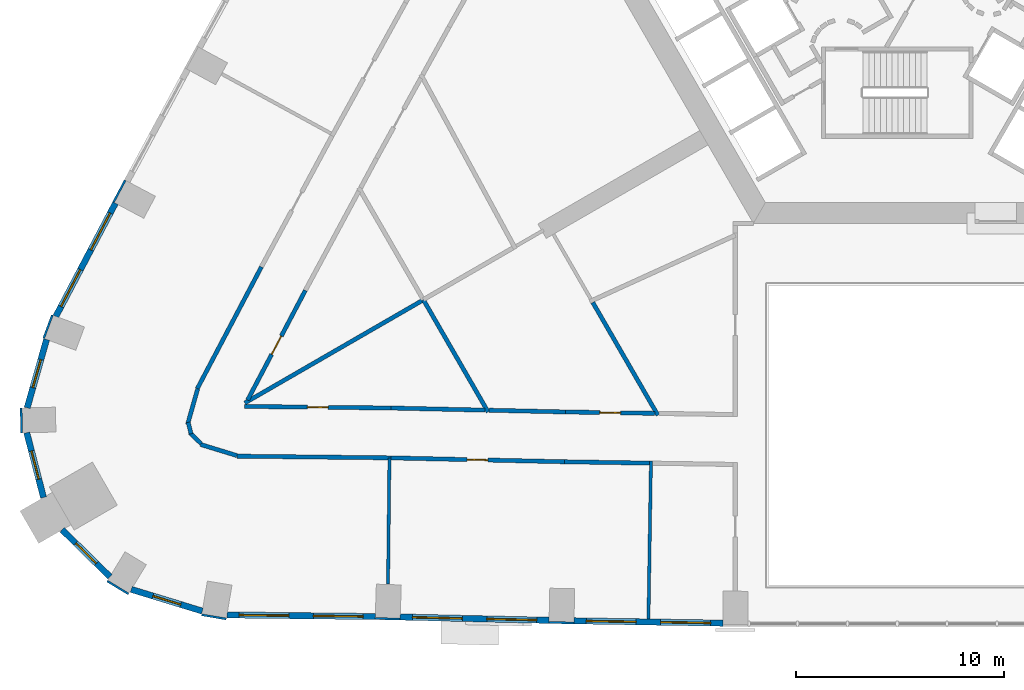
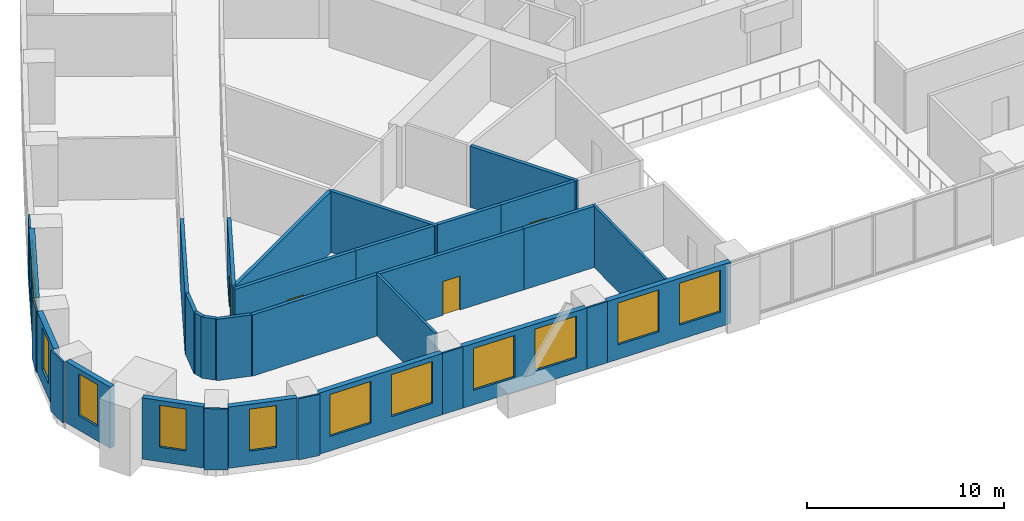
# One storey, part 4 of 13: 33 walls, 12 windows, 4 doors, 16 openings.
"""IFC4 building model written with IfcOpenShell, lengths in metres."""

from ifc_helpers import new_model, si_unit, direction, frame, frame_2d, origin, place, context, subcontext, project, spatial, rectangle, extrude, material, layer, layer_set, type_object, element, fill, save


model = new_model("IFC4")

# Units and contexts
model_context = context("Model", 3, precision=1e-05, world=origin(), true_north=direction((0.0, 1.0)))
body_context = subcontext(model_context, "Body", "Model", "MODEL_VIEW")
ifc_project = project(units=[si_unit("LENGTHUNIT", "METRE"), si_unit("AREAUNIT", "SQUARE_METRE"), si_unit("VOLUMEUNIT", "CUBIC_METRE"), si_unit("PLANEANGLEUNIT", "RADIAN"), si_unit("MASSUNIT", "GRAM", prefix="KILO")], contexts=[model_context])

# Site, building, storey
site_placement = place(None, origin())
site = spatial("IfcSite", under=ifc_project, at=site_placement, CompositionType="ELEMENT")
building_placement = place(site_placement, origin())
building = spatial("IfcBuilding", under=site, at=building_placement, Name="Entoto Arch Interchange Tower", CompositionType="ELEMENT")
storey_placement = place(building_placement, frame((0.0, 0.0, 51.800048828125)))
storey = spatial("IfcBuildingStorey", under=building, at=storey_placement, Name="L10", CompositionType="ELEMENT", Elevation=51.800048828125)

# Walls
ifc_material_1 = material(Name="Gypsum board partition on steel studs", Category="steel")
ifc_layer_1 = layer(ifc_material_1, 0.14990234375)
ifc_layer_set_1 = layer_set([ifc_layer_1], Name="Gypsum board partition on steel studs")
wall_type_1 = type_object("IfcWallType", Name="PARTITION 150", PredefinedType="PARTITIONING", material=ifc_layer_set_1)
wall_1_placement = place(storey_placement, frame((-24.452880859375, -20.7900390625, 0.0), z_axis=(0.0, 0.0, 1.0), x_axis=(-0.011204565898, -0.999937226881, 0.0)))
element("IfcWall", 1, at=wall_1_placement, inside=storey, type_object=wall_type_1, Name="wall:L10:p144", PredefinedType="PARTITIONING", context=body_context, shape_type="SweptSolid", body=[
    extrude(rectangle(XDim=6.079345703125, YDim=0.14990234375, at=frame_2d((3.03955078125, 0.0))), origin(), (0.0, 0.0, 1.0), 3.800048828125),
])
wall_2_placement = place(storey_placement, frame((-11.860107421875, -20.945068359375, 0.0), z_axis=(0.0, 0.0, 1.0), x_axis=(-0.015773137921, -0.999875596322, 0.0)))
element("IfcWall", 2, at=wall_2_placement, inside=storey, type_object=wall_type_1, Name="wall:L10:p145", PredefinedType="PARTITIONING", context=body_context, shape_type="SweptSolid", body=[
    extrude(rectangle(XDim=7.599853515625, YDim=0.14990234375, at=frame_2d((3.7998046875, 0.0))), origin(), (0.0, 0.0, 1.0), 3.800048828125),
])
ifc_layer_2 = layer(ifc_material_1, 0.199951171875)
ifc_layer_set_2 = layer_set([ifc_layer_2], Name="Gypsum board partition on steel studs")
wall_type_2 = type_object("IfcWallType", Name="PARTITION 200", PredefinedType="PARTITIONING", material=ifc_layer_set_2)
wall_3_placement = place(storey_placement, frame((-19.64892578125, -18.49609375, 0.0), z_axis=(0.0, 0.0, 1.0), x_axis=(0.999744980574, -0.02258259988, 0.0)))
element("IfcWall", 3, at=wall_3_placement, inside=storey, type_object=wall_type_2, Name="wall:L10:p031", PredefinedType="PARTITIONING", context=body_context, shape_type="SweptSolid", body=[
    extrude(rectangle(XDim=3.67578125, YDim=0.199951171875, at=frame_2d((1.837890625, 0.0))), origin(), (0.0, 0.0, 1.0), 3.800048828125),
])

# Wall, opening, door
wall_4_placement = place(storey_placement, frame((-15.97412109375, -18.5791015625, 0.0), z_axis=(0.0, 0.0, 1.0), x_axis=(0.999875289316, -0.015792587377, 0.0)))
wall_4 = element("IfcWall", 4, at=wall_4_placement, inside=storey, type_object=wall_type_2, Name="wall:L10:p032", PredefinedType="PARTITIONING", context=body_context, shape_type="SweptSolid", body=[
    extrude(rectangle(XDim=4.297607421875, YDim=0.199951171875, at=frame_2d((2.14892578125, 0.0))), origin(), (0.0, 0.0, 1.0), 3.800048828125),
])
opening_1_placement = place(wall_4_placement, frame((1.64892578125, 0.0, 0.0)))
opening_1 = element("IfcOpeningElement", 5, at=opening_1_placement, cuts=wall_4, Name="Opening L10-D24", PredefinedType="OPENING", context=body_context, shape_type="SweptSolid", body=[
    extrude(rectangle(XDim=1.0, YDim=2.10009765625, at=frame_2d((0.5, 1.050048828125))), frame((0.0, 0.10986328125, 0.0), z_axis=(0.0, -1.0, 0.0), x_axis=(1.0, 0.0, 0.0)), (0.0, 0.0, 1.0), 0.219970703125),
])
ifc_material_2 = material(Name="Timber door leaf in Steel S235 frame", Category="steel")
door_type = type_object("IfcDoorType", Name="DOOR DS-10 1000x2100", OperationType="SINGLE_SWING_LEFT", PredefinedType="DOOR", material=ifc_material_2)
door_1_placement = place(opening_1_placement, origin())
door_1 = element("IfcDoor", 6, at=door_1_placement, inside=storey, type_object=door_type, Name="door:L10:24", OperationType="SINGLE_SWING_LEFT", OverallHeight=2.10009765625, OverallWidth=1.0, PredefinedType="DOOR", context=body_context, shape_type="SweptSolid", body=[
    extrude(rectangle(XDim=1.0, YDim=2.10009765625, at=frame_2d((0.5, 1.050048828125))), frame((0.0, 0.02490234375, 0.0), z_axis=(0.0, -1.0, 0.0), x_axis=(1.0, 0.0, 0.0)), (0.0, 0.0, 1.0), 0.050048828125),
])
fill(opening_1, door_1)

wall_5_placement = place(storey_placement, frame((-28.5009765625, -12.72412109375, 0.0), z_axis=(0.0, 0.0, 1.0), x_axis=(-0.465933418625, -0.884819783576, 0.0)))
wall_5 = element("IfcWall", 7, at=wall_5_placement, inside=storey, type_object=wall_type_2, Name="wall:L10:p034", PredefinedType="PARTITIONING", context=body_context, shape_type="SweptSolid", body=[
    extrude(rectangle(XDim=5.972900390625, YDim=0.199951171875, at=frame_2d((2.986328125, 0.0))), origin(), (0.0, 0.0, 1.0), 3.800048828125),
])
opening_2_placement = place(wall_5_placement, frame((2.486083984375, 0.0, 0.0)))
opening_2 = element("IfcOpeningElement", 8, at=opening_2_placement, cuts=wall_5, Name="Opening L10-D25", PredefinedType="OPENING", context=body_context, shape_type="SweptSolid", body=[
    extrude(rectangle(XDim=1.0, YDim=2.10009765625, at=frame_2d((0.5, 1.050048828125))), frame((0.0, 0.10986328125, 0.0), z_axis=(0.0, -1.0, 0.0), x_axis=(1.0, 0.0, 0.0)), (0.0, 0.0, 1.0), 0.219970703125),
])
door_2_placement = place(opening_2_placement, origin())
door_2 = element("IfcDoor", 9, at=door_2_placement, inside=storey, type_object=door_type, Name="door:L10:25", OperationType="SINGLE_SWING_LEFT", OverallHeight=2.10009765625, OverallWidth=1.0, PredefinedType="DOOR", context=body_context, shape_type="SweptSolid", body=[
    extrude(rectangle(XDim=1.0, YDim=2.10009765625, at=frame_2d((0.5, 1.050048828125))), frame((0.0, 0.02490234375, 0.0), z_axis=(0.0, -1.0, 0.0), x_axis=(1.0, 0.0, 0.0)), (0.0, 0.0, 1.0), 0.050048828125),
])
fill(opening_2, door_2)

wall_6_placement = place(storey_placement, frame((-31.430908203125, -18.31201171875, 0.0), z_axis=(0.0, 0.0, 1.0), x_axis=(0.999939195602, -0.011027470214, 0.0)))
wall_6 = element("IfcWall", 10, at=wall_6_placement, inside=storey, type_object=wall_type_2, Name="wall:L10:p035", PredefinedType="PARTITIONING", context=body_context, shape_type="SweptSolid", body=[
    extrude(rectangle(XDim=7.0625, YDim=0.199951171875, at=frame_2d((3.53125, 0.0))), origin(), (0.0, 0.0, 1.0), 3.800048828125),
])
opening_3_placement = place(wall_6_placement, frame((3.031005859375, 0.0, 0.0)))
opening_3 = element("IfcOpeningElement", 11, at=opening_3_placement, cuts=wall_6, Name="Opening L10-D26", PredefinedType="OPENING", context=body_context, shape_type="SweptSolid", body=[
    extrude(rectangle(XDim=1.0, YDim=2.10009765625, at=frame_2d((0.5, 1.050048828125))), frame((0.0, 0.10986328125, 0.0), z_axis=(0.0, -1.0, 0.0), x_axis=(1.0, 0.0, 0.0)), (0.0, 0.0, 1.0), 0.219970703125),
])
door_3_placement = place(opening_3_placement, origin())
door_3 = element("IfcDoor", 12, at=door_3_placement, inside=storey, type_object=door_type, Name="door:L10:26", OperationType="SINGLE_SWING_LEFT", OverallHeight=2.10009765625, OverallWidth=1.0, PredefinedType="DOOR", context=body_context, shape_type="SweptSolid", body=[
    extrude(rectangle(XDim=1.0, YDim=2.10009765625, at=frame_2d((0.5, 1.050048828125))), frame((0.0, 0.02490234375, 0.0), z_axis=(0.0, -1.0, 0.0), x_axis=(1.0, 0.0, 0.0)), (0.0, 0.0, 1.0), 0.050048828125),
])
fill(opening_3, door_3)

# Walls
wall_7_placement = place(storey_placement, frame((-24.368896484375, -18.389892578125, 0.0), z_axis=(0.0, 0.0, 1.0), x_axis=(0.99974519793, -0.022572975354, 0.0)))
element("IfcWall", 13, at=wall_7_placement, inside=storey, type_object=wall_type_2, Name="wall:L10:p036", PredefinedType="PARTITIONING", context=body_context, shape_type="SweptSolid", body=[
    extrude(rectangle(XDim=4.52099609375, YDim=0.199951171875, at=frame_2d((2.260498046875, 0.0))), origin(), (0.0, 0.0, 1.0), 3.800048828125),
])
wall_8_placement = place(storey_placement, frame((-24.3779296875, -20.7900390625, 0.0), z_axis=(0.0, 0.0, 1.0), x_axis=(-0.99993897746, 0.011047232974, 0.0)))
element("IfcWall", 14, at=wall_8_placement, inside=storey, type_object=wall_type_2, Name="wall:L10:p069", PredefinedType="PARTITIONING", context=body_context, shape_type="SweptSolid", body=[
    extrude(rectangle(XDim=7.425537109375, YDim=0.199951171875, at=frame_2d((3.712890625, 0.0))), origin(), (0.0, 0.0, 1.0), 3.800048828125),
])
wall_9_placement = place(storey_placement, frame((-31.799072265625, -20.679931640625, 0.0), z_axis=(0.0, 0.0, 1.0), x_axis=(-0.956277835368, 0.292459743525, 0.0)))
element("IfcWall", 15, at=wall_9_placement, inside=storey, type_object=wall_type_2, Name="wall:L10:p070", PredefinedType="PARTITIONING", context=body_context, shape_type="SweptSolid", body=[
    extrude(rectangle(XDim=1.82568359375, YDim=0.199951171875, at=frame_2d((0.912841796875, 0.0))), origin(), (0.0, 0.0, 1.0), 3.800048828125),
])
wall_10_placement = place(storey_placement, frame((-33.52099609375, -20.10498046875, 0.0), z_axis=(0.0, 0.0, 1.0), x_axis=(-0.713535335808, 0.700619243636, 0.0)))
element("IfcWall", 16, at=wall_10_placement, inside=storey, type_object=wall_type_2, Name="wall:L10:p071", PredefinedType="PARTITIONING", context=body_context, shape_type="SweptSolid", body=[
    extrude(rectangle(XDim=0.77490234375, YDim=0.199951171875, at=frame_2d((0.387451171875, 0.0))), origin(), (0.0, 0.0, 1.0), 3.800048828125),
])
wall_11_placement = place(storey_placement, frame((-34.0029296875, -19.631103515625, 0.0), z_axis=(0.0, 0.0, 1.0), x_axis=(-0.250111961061, 0.968216921425, 0.0)))
element("IfcWall", 17, at=wall_11_placement, inside=storey, type_object=wall_type_2, Name="wall:L10:p072", PredefinedType="PARTITIONING", context=body_context, shape_type="SweptSolid", body=[
    extrude(rectangle(XDim=0.568115234375, YDim=0.199951171875, at=frame_2d((0.2841796875, 0.0))), origin(), (0.0, 0.0, 1.0), 3.800048828125),
])
wall_12_placement = place(storey_placement, frame((-34.172119140625, -19.177001953125, 0.0), z_axis=(0.0, 0.0, 1.0), x_axis=(0.272780480932, 0.962076301144, 0.0)))
element("IfcWall", 18, at=wall_12_placement, inside=storey, type_object=wall_type_2, Name="wall:L10:p073", PredefinedType="PARTITIONING", context=body_context, shape_type="SweptSolid", body=[
    extrude(rectangle(XDim=1.7783203125, YDim=0.199951171875, at=frame_2d((0.88916015625, 0.0))), origin(), (0.0, 0.0, 1.0), 3.800048828125),
])
wall_13_placement = place(storey_placement, frame((-33.7060546875, -17.4580078125, 0.0), z_axis=(0.0, 0.0, 1.0), x_axis=(0.465905874098, 0.884834287582, 0.0)))
element("IfcWall", 19, at=wall_13_placement, inside=storey, type_object=wall_type_2, Name="wall:L10:p074", PredefinedType="PARTITIONING", context=body_context, shape_type="SweptSolid", body=[
    extrude(rectangle(XDim=6.626220703125, YDim=0.199951171875, at=frame_2d((3.31298828125, 0.0))), origin(), (0.0, 0.0, 1.0), 3.800048828125),
])
wall_14_placement = place(storey_placement, frame((-11.93603515625, -21.04296875, 0.0), z_axis=(0.0, 0.0, 1.0), x_axis=(-0.999873595398, 0.015899472524, 0.0)))
element("IfcWall", 20, at=wall_14_placement, inside=storey, type_object=wall_type_2, Name="wall:L10:p076", PredefinedType="PARTITIONING", context=body_context, shape_type="SweptSolid", body=[
    extrude(rectangle(XDim=4.08447265625, YDim=0.199951171875, at=frame_2d((2.042236328125, 0.0))), origin(), (0.0, 0.0, 1.0), 3.800048828125),
])

# Wall, opening, door
wall_15_placement = place(storey_placement, frame((-16.02001953125, -20.97802734375, 0.0), z_axis=(0.0, 0.0, 1.0), x_axis=(-0.999749010047, 0.02240350216, 0.0)))
wall_15 = element("IfcWall", 21, at=wall_15_placement, inside=storey, type_object=wall_type_2, Name="wall:L10:p077", PredefinedType="PARTITIONING", context=body_context, shape_type="SweptSolid", body=[
    extrude(rectangle(XDim=8.39111328125, YDim=0.199951171875, at=frame_2d((4.195556640625, 0.0))), origin(), (0.0, 0.0, 1.0), 3.800048828125),
])
opening_4_placement = place(wall_15_placement, frame((3.695068359375, 0.0, 0.0)))
opening_4 = element("IfcOpeningElement", 22, at=opening_4_placement, cuts=wall_15, Name="Opening L10-D14", PredefinedType="OPENING", context=body_context, shape_type="SweptSolid", body=[
    extrude(rectangle(XDim=1.0, YDim=2.10009765625, at=frame_2d((0.5, 1.050048828125))), frame((0.0, 0.10986328125, 0.0), z_axis=(0.0, -1.0, 0.0), x_axis=(1.0, 0.0, 0.0)), (0.0, 0.0, 1.0), 0.219970703125),
])
door_4_placement = place(opening_4_placement, origin())
door_4 = element("IfcDoor", 23, at=door_4_placement, inside=storey, type_object=door_type, Name="door:L10:14", OperationType="SINGLE_SWING_RIGHT", OverallHeight=2.10009765625, OverallWidth=1.0, PredefinedType="DOOR", context=body_context, shape_type="SweptSolid", body=[
    extrude(rectangle(XDim=1.0, YDim=2.10009765625, at=frame_2d((0.5, 1.050048828125))), frame((0.0, 0.02490234375, 0.0), z_axis=(0.0, -1.0, 0.0), x_axis=(1.0, 0.0, 0.0)), (0.0, 0.0, 1.0), 0.050048828125),
])
fill(opening_4, door_4)

# Walls
wall_16_placement = place(storey_placement, frame((-11.527099609375, -18.735107421875, 0.0), z_axis=(0.0, 0.0, 1.0), x_axis=(-0.499976457224, 0.866038995786, 0.0)))
element("IfcWall", 24, at=wall_16_placement, inside=storey, type_object=wall_type_2, Name="wall:L10:p127", PredefinedType="PARTITIONING", context=body_context, shape_type="SweptSolid", body=[
    extrude(rectangle(XDim=6.267822265625, YDim=0.199951171875, at=frame_2d((3.1337890625, 0.0))), origin(), (0.0, 0.0, 1.0), 3.800048828125),
])
wall_17_placement = place(storey_placement, frame((-19.698974609375, -18.5810546875, 0.0), z_axis=(0.0, 0.0, 1.0), x_axis=(-0.499899838407, 0.866083224385, 0.0)))
element("IfcWall", 25, at=wall_17_placement, inside=storey, type_object=wall_type_2, Name="wall:L10:p130", PredefinedType="PARTITIONING", context=body_context, shape_type="SweptSolid", body=[
    extrude(rectangle(XDim=6.235107421875, YDim=0.199951171875, at=frame_2d((3.11767578125, 0.0))), origin(), (0.0, 0.0, 1.0), 3.800048828125),
])
wall_18_placement = place(storey_placement, frame((-22.81591796875, -13.180908203125, 0.0), z_axis=(0.0, 0.0, 1.0), x_axis=(-0.86601529143, -0.500017514703, 0.0)))
element("IfcWall", 26, at=wall_18_placement, inside=storey, type_object=wall_type_2, Name="wall:L10:p131", PredefinedType="PARTITIONING", context=body_context, shape_type="SweptSolid", body=[
    extrude(rectangle(XDim=9.931884765625, YDim=0.199951171875, at=frame_2d((4.9658203125, 0.0))), origin(), (0.0, 0.0, 1.0), 3.800048828125),
])

# Wall, openings, windows
ifc_material_3 = material(Name="Welded tuff (ignimbrite) cladding, warm buff", Category="masonry")
ifc_layer_3 = layer(ifc_material_3, 0.300048828125)
ifc_layer_set_3 = layer_set([ifc_layer_3], Name="Welded tuff (ignimbrite) cladding, warm buff")
wall_type_3 = type_object("IfcWallType", Name="STONE INFILL WALL 300", PredefinedType="STANDARD", material=ifc_layer_set_3)
wall_19_placement = place(storey_placement, frame((-32.279052734375, -28.35302734375, 0.0), z_axis=(0.0, 0.0, 1.0), x_axis=(0.999939101213, -0.011036025753, 0.0)))
wall_19 = element("IfcWall", 27, at=wall_19_placement, inside=storey, type_object=wall_type_3, Name="Facade wall S-01 L10", PredefinedType="STANDARD", context=body_context, shape_type="SweptSolid", body=[
    extrude(rectangle(XDim=7.1455078125, YDim=0.300048828125, at=frame_2d((3.57275390625, 0.0))), origin(), (0.0, 0.0, 1.0), 3.800048828125),
])
opening_5_placement = place(wall_19_placement, frame((0.5859375, 0.0, 0.89990234375)))
opening_5 = element("IfcOpeningElement", 28, at=opening_5_placement, cuts=wall_19, Name="Opening WO-A", PredefinedType="OPENING", context=body_context, shape_type="SweptSolid", body=[
    extrude(rectangle(XDim=2.39990234375, YDim=2.60009765625, at=frame_2d((1.199951171875, 1.300048828125))), frame((0.0, 0.16015625, 0.0), z_axis=(0.0, -1.0, 0.0), x_axis=(1.0, 0.0, 0.0)), (0.0, 0.0, 1.0), 0.320068359375),
])
opening_6_placement = place(wall_19_placement, frame((4.158935546875, 0.0, 0.89990234375)))
opening_6 = element("IfcOpeningElement", 29, at=opening_6_placement, cuts=wall_19, Name="Opening WO-A", PredefinedType="OPENING", context=body_context, shape_type="SweptSolid", body=[
    extrude(rectangle(XDim=2.39990234375, YDim=2.60009765625, at=frame_2d((1.199951171875, 1.300048828125))), frame((0.0, 0.16015625, 0.0), z_axis=(0.0, -1.0, 0.0), x_axis=(1.0, 0.0, 0.0)), (0.0, 0.0, 1.0), 0.320068359375),
])
ifc_material_4 = material(Name="Clear glass, low-e double glazed", Category="glass")
window_type_1 = type_object("IfcWindowType", Name="WINDOW WO-A 2400x2600", PartitioningType="DOUBLE_PANEL_VERTICAL", PredefinedType="WINDOW", material=ifc_material_4)
window_1_placement = place(opening_5_placement, origin())
window_1 = element("IfcWindow", 30, at=window_1_placement, inside=storey, type_object=window_type_1, Name="Window WO-A S-01 L10", OverallHeight=2.60009765625, OverallWidth=2.39990234375, PartitioningType="SINGLE_PANEL", PredefinedType="WINDOW", context=body_context, shape_type="SweptSolid", body=[
    extrude(rectangle(XDim=2.39990234375, YDim=2.60009765625, at=frame_2d((1.199951171875, 1.300048828125))), frame((0.0, 0.030029296875, 0.0), z_axis=(0.0, -1.0, 0.0), x_axis=(1.0, 0.0, 0.0)), (0.0, 0.0, 1.0), 0.06005859375),
])
fill(opening_5, window_1)
window_2_placement = place(opening_6_placement, origin())
window_2 = element("IfcWindow", 31, at=window_2_placement, inside=storey, type_object=window_type_1, Name="Window WO-A S-01 L10", OverallHeight=2.60009765625, OverallWidth=2.39990234375, PartitioningType="SINGLE_PANEL", PredefinedType="WINDOW", context=body_context, shape_type="SweptSolid", body=[
    extrude(rectangle(XDim=2.39990234375, YDim=2.60009765625, at=frame_2d((1.199951171875, 1.300048828125))), frame((0.0, 0.030029296875, 0.0), z_axis=(0.0, -1.0, 0.0), x_axis=(1.0, 0.0, 0.0)), (0.0, 0.0, 1.0), 0.06005859375),
])
fill(opening_6, window_2)

wall_20_placement = place(storey_placement, frame((-23.93603515625, -28.452880859375, 0.0), z_axis=(0.0, 0.0, 1.0), x_axis=(0.999747567852, -0.022467767461, 0.0)))
wall_20 = element("IfcWall", 32, at=wall_20_placement, inside=storey, type_object=wall_type_3, Name="Facade wall S-02 L10", PredefinedType="STANDARD", context=body_context, shape_type="SweptSolid", body=[
    extrude(rectangle(XDim=7.171630859375, YDim=0.300048828125, at=frame_2d((3.5859375, 0.0))), origin(), (0.0, 0.0, 1.0), 3.800048828125),
])
opening_7_placement = place(wall_20_placement, frame((0.593017578125, 0.0, 0.89990234375)))
opening_7 = element("IfcOpeningElement", 33, at=opening_7_placement, cuts=wall_20, Name="Opening WO-A", PredefinedType="OPENING", context=body_context, shape_type="SweptSolid", body=[
    extrude(rectangle(XDim=2.39990234375, YDim=2.60009765625, at=frame_2d((1.199951171875, 1.300048828125))), frame((0.0, 0.16015625, 0.0), z_axis=(0.0, -1.0, 0.0), x_axis=(1.0, 0.0, 0.0)), (0.0, 0.0, 1.0), 0.320068359375),
])
opening_8_placement = place(wall_20_placement, frame((4.178955078125, 0.0, 0.89990234375)))
opening_8 = element("IfcOpeningElement", 34, at=opening_8_placement, cuts=wall_20, Name="Opening WO-A", PredefinedType="OPENING", context=body_context, shape_type="SweptSolid", body=[
    extrude(rectangle(XDim=2.39990234375, YDim=2.60009765625, at=frame_2d((1.199951171875, 1.300048828125))), frame((0.0, 0.16015625, 0.0), z_axis=(0.0, -1.0, 0.0), x_axis=(1.0, 0.0, 0.0)), (0.0, 0.0, 1.0), 0.320068359375),
])
window_3_placement = place(opening_7_placement, origin())
window_3 = element("IfcWindow", 35, at=window_3_placement, inside=storey, type_object=window_type_1, Name="Window WO-A S-02 L10", OverallHeight=2.60009765625, OverallWidth=2.39990234375, PartitioningType="SINGLE_PANEL", PredefinedType="WINDOW", context=body_context, shape_type="SweptSolid", body=[
    extrude(rectangle(XDim=2.39990234375, YDim=2.60009765625, at=frame_2d((1.199951171875, 1.300048828125))), frame((0.0, 0.030029296875, 0.0), z_axis=(0.0, -1.0, 0.0), x_axis=(1.0, 0.0, 0.0)), (0.0, 0.0, 1.0), 0.06005859375),
])
fill(opening_7, window_3)
window_4_placement = place(opening_8_placement, origin())
window_4 = element("IfcWindow", 36, at=window_4_placement, inside=storey, type_object=window_type_1, Name="Window WO-A S-02 L10", OverallHeight=2.60009765625, OverallWidth=2.39990234375, PartitioningType="SINGLE_PANEL", PredefinedType="WINDOW", context=body_context, shape_type="SweptSolid", body=[
    extrude(rectangle(XDim=2.39990234375, YDim=2.60009765625, at=frame_2d((1.199951171875, 1.300048828125))), frame((0.0, 0.030029296875, 0.0), z_axis=(0.0, -1.0, 0.0), x_axis=(1.0, 0.0, 0.0)), (0.0, 0.0, 1.0), 0.06005859375),
])
fill(opening_8, window_4)

wall_21_placement = place(storey_placement, frame((-15.568115234375, -28.636962890625, 0.0), z_axis=(0.0, 0.0, 1.0), x_axis=(0.999875756772, -0.015762963512, 0.0)))
wall_21 = element("IfcWall", 37, at=wall_21_placement, inside=storey, type_object=wall_type_3, Name="Facade wall S-03 L10", PredefinedType="STANDARD", context=body_context, shape_type="SweptSolid", body=[
    extrude(rectangle(XDim=7.171142578125, YDim=0.300048828125, at=frame_2d((3.58544921875, 0.0))), origin(), (0.0, 0.0, 1.0), 3.800048828125),
])
opening_9_placement = place(wall_21_placement, frame((0.593017578125, 0.0, 0.89990234375)))
opening_9 = element("IfcOpeningElement", 38, at=opening_9_placement, cuts=wall_21, Name="Opening WO-A", PredefinedType="OPENING", context=body_context, shape_type="SweptSolid", body=[
    extrude(rectangle(XDim=2.39990234375, YDim=2.60009765625, at=frame_2d((1.199951171875, 1.300048828125))), frame((0.0, 0.16015625, 0.0), z_axis=(0.0, -1.0, 0.0), x_axis=(1.0, 0.0, 0.0)), (0.0, 0.0, 1.0), 0.320068359375),
])
opening_10_placement = place(wall_21_placement, frame((4.177978515625, 0.0, 0.89990234375)))
opening_10 = element("IfcOpeningElement", 39, at=opening_10_placement, cuts=wall_21, Name="Opening WO-A", PredefinedType="OPENING", context=body_context, shape_type="SweptSolid", body=[
    extrude(rectangle(XDim=2.39990234375, YDim=2.60009765625, at=frame_2d((1.199951171875, 1.300048828125))), frame((0.0, 0.16015625, 0.0), z_axis=(0.0, -1.0, 0.0), x_axis=(1.0, 0.0, 0.0)), (0.0, 0.0, 1.0), 0.320068359375),
])
window_5_placement = place(opening_9_placement, origin())
window_5 = element("IfcWindow", 40, at=window_5_placement, inside=storey, type_object=window_type_1, Name="Window WO-A S-03 L10", OverallHeight=2.60009765625, OverallWidth=2.39990234375, PartitioningType="SINGLE_PANEL", PredefinedType="WINDOW", context=body_context, shape_type="SweptSolid", body=[
    extrude(rectangle(XDim=2.39990234375, YDim=2.60009765625, at=frame_2d((1.199951171875, 1.300048828125))), frame((0.0, 0.030029296875, 0.0), z_axis=(0.0, -1.0, 0.0), x_axis=(1.0, 0.0, 0.0)), (0.0, 0.0, 1.0), 0.06005859375),
])
fill(opening_9, window_5)
window_6_placement = place(opening_10_placement, origin())
window_6 = element("IfcWindow", 41, at=window_6_placement, inside=storey, type_object=window_type_1, Name="Window WO-A S-03 L10", OverallHeight=2.60009765625, OverallWidth=2.39990234375, PartitioningType="SINGLE_PANEL", PredefinedType="WINDOW", context=body_context, shape_type="SweptSolid", body=[
    extrude(rectangle(XDim=2.39990234375, YDim=2.60009765625, at=frame_2d((1.199951171875, 1.300048828125))), frame((0.0, 0.030029296875, 0.0), z_axis=(0.0, -1.0, 0.0), x_axis=(1.0, 0.0, 0.0)), (0.0, 0.0, 1.0), 0.06005859375),
])
fill(opening_10, window_6)

wall_22_placement = place(storey_placement, frame((-37.64990234375, -8.527099609375, 0.0), z_axis=(0.0, 0.0, 1.0), x_axis=(-0.465847756605, -0.884864886673, 0.0)))
wall_22 = element("IfcWall", 42, at=wall_22_placement, inside=storey, type_object=wall_type_3, Name="Facade wall NW-09 L10", PredefinedType="STANDARD", context=body_context, shape_type="SweptSolid", body=[
    extrude(rectangle(XDim=6.156982421875, YDim=0.300048828125, at=frame_2d((3.07861328125, 0.0))), origin(), (0.0, 0.0, 1.0), 3.800048828125),
])
opening_11_placement = place(wall_22_placement, frame((0.5390625, 0.0, 0.89990234375)))
opening_11 = element("IfcOpeningElement", 43, at=opening_11_placement, cuts=wall_22, Name="Opening WO-C", PredefinedType="OPENING", context=body_context, shape_type="SweptSolid", body=[
    extrude(rectangle(XDim=2.0, YDim=2.60009765625, at=frame_2d((1.0, 1.300048828125))), frame((0.0, 0.16015625, 0.0), z_axis=(0.0, -1.0, 0.0), x_axis=(1.0, 0.0, 0.0)), (0.0, 0.0, 1.0), 0.320068359375),
])
opening_12_placement = place(wall_22_placement, frame((3.617919921875, 0.0, 0.89990234375)))
opening_12 = element("IfcOpeningElement", 44, at=opening_12_placement, cuts=wall_22, Name="Opening WO-C", PredefinedType="OPENING", context=body_context, shape_type="SweptSolid", body=[
    extrude(rectangle(XDim=2.0, YDim=2.60009765625, at=frame_2d((1.0, 1.300048828125))), frame((0.0, 0.16015625, 0.0), z_axis=(0.0, -1.0, 0.0), x_axis=(1.0, 0.0, 0.0)), (0.0, 0.0, 1.0), 0.320068359375),
])
window_type_2 = type_object("IfcWindowType", Name="WINDOW WO-C 2000x2600", PartitioningType="DOUBLE_PANEL_VERTICAL", PredefinedType="WINDOW", material=ifc_material_4)
window_7_placement = place(opening_11_placement, origin())
window_7 = element("IfcWindow", 45, at=window_7_placement, inside=storey, type_object=window_type_2, Name="Window WO-C NW-09 L10", OverallHeight=2.60009765625, OverallWidth=2.0, PartitioningType="SINGLE_PANEL", PredefinedType="WINDOW", context=body_context, shape_type="SweptSolid", body=[
    extrude(rectangle(XDim=2.0, YDim=2.60009765625, at=frame_2d((1.0, 1.300048828125))), frame((0.0, 0.030029296875, 0.0), z_axis=(0.0, -1.0, 0.0), x_axis=(1.0, 0.0, 0.0)), (0.0, 0.0, 1.0), 0.06005859375),
])
fill(opening_11, window_7)
window_8_placement = place(opening_12_placement, origin())
window_8 = element("IfcWindow", 46, at=window_8_placement, inside=storey, type_object=window_type_2, Name="Window WO-C NW-09 L10", OverallHeight=2.60009765625, OverallWidth=2.0, PartitioningType="SINGLE_PANEL", PredefinedType="WINDOW", context=body_context, shape_type="SweptSolid", body=[
    extrude(rectangle(XDim=2.0, YDim=2.60009765625, at=frame_2d((1.0, 1.300048828125))), frame((0.0, 0.030029296875, 0.0), z_axis=(0.0, -1.0, 0.0), x_axis=(1.0, 0.0, 0.0)), (0.0, 0.0, 1.0), 0.06005859375),
])
fill(opening_12, window_8)

# Wall, opening, window
wall_23_placement = place(storey_placement, frame((-40.964111328125, -15.0869140625, 0.0), z_axis=(0.0, 0.0, 1.0), x_axis=(-0.272901963142, -0.962041848629, 0.0)))
wall_23 = element("IfcWall", 47, at=wall_23_placement, inside=storey, type_object=wall_type_3, Name="Facade wall SW-01 L10", PredefinedType="STANDARD", context=body_context, shape_type="SweptSolid", body=[
    extrude(rectangle(XDim=3.421875, YDim=0.300048828125, at=frame_2d((1.7109375, 0.0))), origin(), (0.0, 0.0, 1.0), 3.800048828125),
])
opening_13_placement = place(wall_23_placement, frame((1.010986328125, 0.0, 0.89990234375)))
opening_13 = element("IfcOpeningElement", 48, at=opening_13_placement, cuts=wall_23, Name="Opening WO-B", PredefinedType="OPENING", context=body_context, shape_type="SweptSolid", body=[
    extrude(rectangle(XDim=1.39990234375, YDim=2.60009765625, at=frame_2d((0.699951171875, 1.300048828125))), frame((0.0, 0.16015625, 0.0), z_axis=(0.0, -1.0, 0.0), x_axis=(1.0, 0.0, 0.0)), (0.0, 0.0, 1.0), 0.320068359375),
])
window_type_3 = type_object("IfcWindowType", Name="WINDOW WO-B 1400x2600", PartitioningType="DOUBLE_PANEL_VERTICAL", PredefinedType="WINDOW", material=ifc_material_4)
window_9_placement = place(opening_13_placement, origin())
window_9 = element("IfcWindow", 49, at=window_9_placement, inside=storey, type_object=window_type_3, Name="Window WO-B SW-01 L10", OverallHeight=2.60009765625, OverallWidth=1.39990234375, PartitioningType="SINGLE_PANEL", PredefinedType="WINDOW", context=body_context, shape_type="SweptSolid", body=[
    extrude(rectangle(XDim=1.39990234375, YDim=2.60009765625, at=frame_2d((0.699951171875, 1.300048828125))), frame((0.0, 0.030029296875, 0.0), z_axis=(0.0, -1.0, 0.0), x_axis=(1.0, 0.0, 0.0)), (0.0, 0.0, 1.0), 0.06005859375),
])
fill(opening_13, window_9)

wall_24_placement = place(storey_placement, frame((-41.91796875, -19.577880859375, 0.0), z_axis=(0.0, 0.0, 1.0), x_axis=(0.250086521833, -0.968223492587, 0.0)))
wall_24 = element("IfcWall", 50, at=wall_24_placement, inside=storey, type_object=wall_type_3, Name="Facade wall SW-02 L10", PredefinedType="STANDARD", context=body_context, shape_type="SweptSolid", body=[
    extrude(rectangle(XDim=3.222412109375, YDim=0.300048828125, at=frame_2d((1.611328125, 0.0))), origin(), (0.0, 0.0, 1.0), 3.800048828125),
])
opening_14_placement = place(wall_24_placement, frame((0.910888671875, 0.0, 0.89990234375)))
opening_14 = element("IfcOpeningElement", 51, at=opening_14_placement, cuts=wall_24, Name="Opening WO-B", PredefinedType="OPENING", context=body_context, shape_type="SweptSolid", body=[
    extrude(rectangle(XDim=1.39990234375, YDim=2.60009765625, at=frame_2d((0.699951171875, 1.300048828125))), frame((0.0, 0.16015625, 0.0), z_axis=(0.0, -1.0, 0.0), x_axis=(1.0, 0.0, 0.0)), (0.0, 0.0, 1.0), 0.320068359375),
])
window_10_placement = place(opening_14_placement, origin())
window_10 = element("IfcWindow", 52, at=window_10_placement, inside=storey, type_object=window_type_3, Name="Window WO-B SW-02 L10", OverallHeight=2.60009765625, OverallWidth=1.39990234375, PartitioningType="SINGLE_PANEL", PredefinedType="WINDOW", context=body_context, shape_type="SweptSolid", body=[
    extrude(rectangle(XDim=1.39990234375, YDim=2.60009765625, at=frame_2d((0.699951171875, 1.300048828125))), frame((0.0, 0.030029296875, 0.0), z_axis=(0.0, -1.0, 0.0), x_axis=(1.0, 0.0, 0.0)), (0.0, 0.0, 1.0), 0.06005859375),
])
fill(opening_14, window_10)

wall_25_placement = place(storey_placement, frame((-40.212890625, -24.2548828125, 0.0), z_axis=(0.0, 0.0, 1.0), x_axis=(0.71340487189, -0.700752087948, 0.0)))
wall_25 = element("IfcWall", 53, at=wall_25_placement, inside=storey, type_object=wall_type_3, Name="Facade wall SW-03 L10", PredefinedType="STANDARD", context=body_context, shape_type="SweptSolid", body=[
    extrude(rectangle(XDim=3.222412109375, YDim=0.300048828125, at=frame_2d((1.611328125, 0.0))), origin(), (0.0, 0.0, 1.0), 3.800048828125),
])
opening_15_placement = place(wall_25_placement, frame((0.910888671875, 0.0, 0.89990234375)))
opening_15 = element("IfcOpeningElement", 54, at=opening_15_placement, cuts=wall_25, Name="Opening WO-B", PredefinedType="OPENING", context=body_context, shape_type="SweptSolid", body=[
    extrude(rectangle(XDim=1.39990234375, YDim=2.60009765625, at=frame_2d((0.699951171875, 1.300048828125))), frame((0.0, 0.16015625, 0.0), z_axis=(0.0, -1.0, 0.0), x_axis=(1.0, 0.0, 0.0)), (0.0, 0.0, 1.0), 0.320068359375),
])
window_11_placement = place(opening_15_placement, origin())
window_11 = element("IfcWindow", 55, at=window_11_placement, inside=storey, type_object=window_type_3, Name="Window WO-B SW-03 L10", OverallHeight=2.60009765625, OverallWidth=1.39990234375, PartitioningType="SINGLE_PANEL", PredefinedType="WINDOW", context=body_context, shape_type="SweptSolid", body=[
    extrude(rectangle(XDim=1.39990234375, YDim=2.60009765625, at=frame_2d((0.699951171875, 1.300048828125))), frame((0.0, 0.030029296875, 0.0), z_axis=(0.0, -1.0, 0.0), x_axis=(1.0, 0.0, 0.0)), (0.0, 0.0, 1.0), 0.06005859375),
])
fill(opening_15, window_11)

wall_26_placement = place(storey_placement, frame((-36.883056640625, -27.1240234375, 0.0), z_axis=(0.0, 0.0, 1.0), x_axis=(0.956285307569, -0.292435309988, 0.0)))
wall_26 = element("IfcWall", 56, at=wall_26_placement, inside=storey, type_object=wall_type_3, Name="Facade wall SW-04 L10", PredefinedType="STANDARD", context=body_context, shape_type="SweptSolid", body=[
    extrude(rectangle(XDim=3.576416015625, YDim=0.300048828125, at=frame_2d((1.7880859375, 0.0))), origin(), (0.0, 0.0, 1.0), 3.800048828125),
])
opening_16_placement = place(wall_26_placement, frame((1.087890625, 0.0, 0.89990234375)))
opening_16 = element("IfcOpeningElement", 57, at=opening_16_placement, cuts=wall_26, Name="Opening WO-B", PredefinedType="OPENING", context=body_context, shape_type="SweptSolid", body=[
    extrude(rectangle(XDim=1.39990234375, YDim=2.60009765625, at=frame_2d((0.699951171875, 1.300048828125))), frame((0.0, 0.16015625, 0.0), z_axis=(0.0, -1.0, 0.0), x_axis=(1.0, 0.0, 0.0)), (0.0, 0.0, 1.0), 0.320068359375),
])
window_12_placement = place(opening_16_placement, origin())
window_12 = element("IfcWindow", 58, at=window_12_placement, inside=storey, type_object=window_type_3, Name="Window WO-B SW-04 L10", OverallHeight=2.60009765625, OverallWidth=1.39990234375, PartitioningType="SINGLE_PANEL", PredefinedType="WINDOW", context=body_context, shape_type="SweptSolid", body=[
    extrude(rectangle(XDim=1.39990234375, YDim=2.60009765625, at=frame_2d((0.699951171875, 1.300048828125))), frame((0.0, 0.030029296875, 0.0), z_axis=(0.0, -1.0, 0.0), x_axis=(1.0, 0.0, 0.0)), (0.0, 0.0, 1.0), 0.06005859375),
])
fill(opening_16, window_12)

# Walls
ifc_layer_4 = layer(ifc_material_3, 0.10009765625)
ifc_layer_set_4 = layer_set([ifc_layer_4], Name="Welded tuff (ignimbrite) cladding, warm buff")
wall_type_4 = type_object("IfcWallType", Name="STONE PIER CLADDING 100", PredefinedType="STANDARD", material=ifc_layer_set_4)
wall_27_placement = place(storey_placement, frame((-37.177001953125, -7.4208984375, 0.0), z_axis=(0.0, 0.0, 1.0), x_axis=(-0.469383408131, -0.882994459876, 0.0)))
element("IfcWall", 59, at=wall_27_placement, inside=storey, type_object=wall_type_4, Name="Stone pier NW09 L10", PredefinedType="STANDARD", context=body_context, shape_type="SweptSolid", body=[
    extrude(rectangle(XDim=1.199462890625, YDim=0.10009765625, at=frame_2d((0.599609375, 0.0))), origin(), (0.0, 0.0, 1.0), 3.800048828125),
])
wall_28_placement = place(storey_placement, frame((-40.68505859375, -13.912109375, 0.0), z_axis=(0.0, 0.0, 1.0), x_axis=(-0.348268249601, -0.937394914814, 0.0)))
element("IfcWall", 60, at=wall_28_placement, inside=storey, type_object=wall_type_4, Name="Stone pier NW10 L10", PredefinedType="STANDARD", context=body_context, shape_type="SweptSolid", body=[
    extrude(rectangle(XDim=1.2001953125, YDim=0.10009765625, at=frame_2d((0.60009765625, 0.0))), origin(), (0.0, 0.0, 1.0), 3.800048828125),
])
for number, where, z_axis, x_axis, name in (
    (61, (-33.493896484375, -28.346923828125, 0.0), (0.0, 0.0, 1.0), (0.98597830993, -0.166873522011, 0.0), "Stone pier S01 L10"),
    (62, (-25.137939453125, -28.51904296875, 0.0), (0.0, 0.0, 1.0), (0.999442872267, -0.03337581573, 0.0), "Stone pier S02 L10"),
):
    element("IfcWall", number, at=place(storey_placement, frame(where, z_axis=z_axis, x_axis=x_axis)), inside=storey, type_object=wall_type_4, Name=name, PredefinedType="STANDARD", context=body_context, shape_type="SweptSolid", body=[
        extrude(rectangle(XDim=1.19970703125, YDim=0.10009765625, at=frame_2d((0.599853515625, 0.0))), origin(), (0.0, 0.0, 1.0), 3.800048828125),
    ])
for number, where, z_axis, x_axis, name in (
    (63, (-16.76904296875, -28.714111328125, 0.0), (0.0, 0.0, 1.0), (0.99976752127, -0.021561618973, 0.0), "Stone pier S03 L10"),
    (64, (-42.18994140625, -18.385009765625, 0.0), (0.0, 0.0, 1.0), (0.023188066684, -0.999731120634, 0.0), "Stone pier SW1 L10"),
    (65, (-38.0419921875, -26.721923828125, 0.0), (0.0, 0.0, 1.0), (0.854716608594, -0.519094903649, 0.0), "Stone pier SW3 L10"),
):
    element("IfcWall", number, at=place(storey_placement, frame(where, z_axis=z_axis, x_axis=x_axis)), inside=storey, type_object=wall_type_4, Name=name, PredefinedType="STANDARD", context=body_context, shape_type="SweptSolid", body=[
        extrude(rectangle(XDim=1.2001953125, YDim=0.10009765625, at=frame_2d((0.60009765625, 0.0))), origin(), (0.0, 0.0, 1.0), 3.800048828125),
    ])

save(model, "model.ifc")
